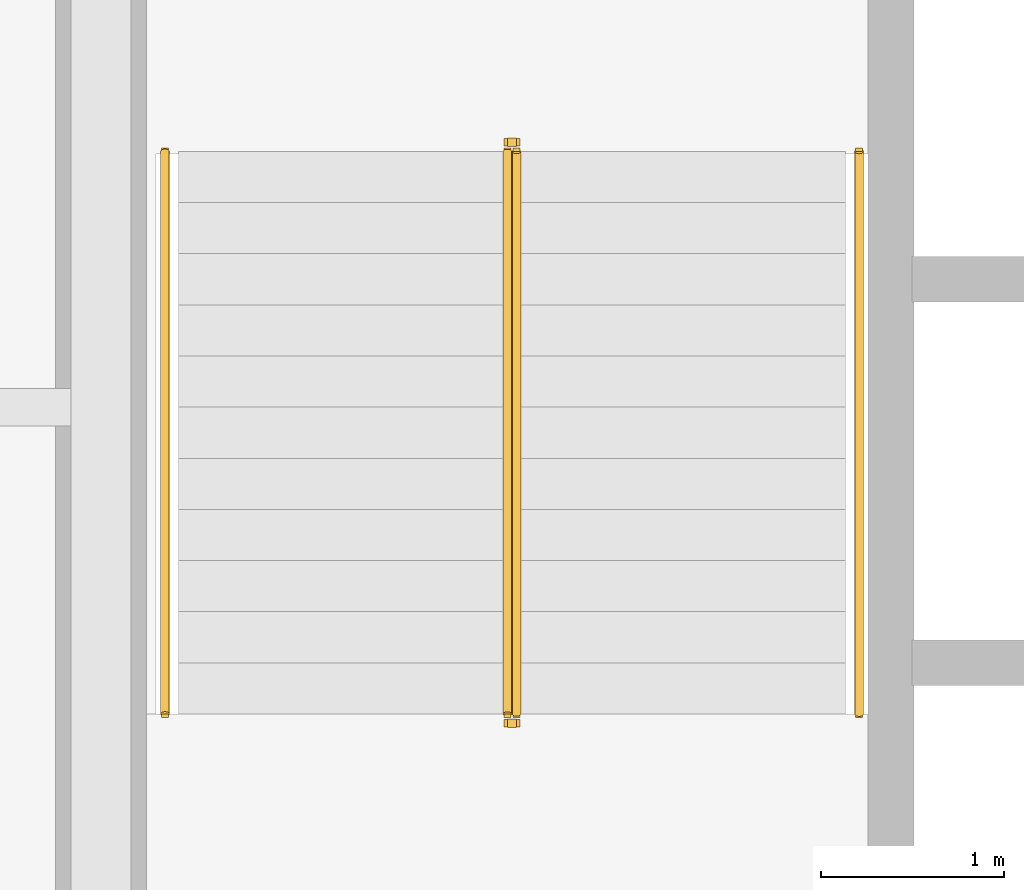
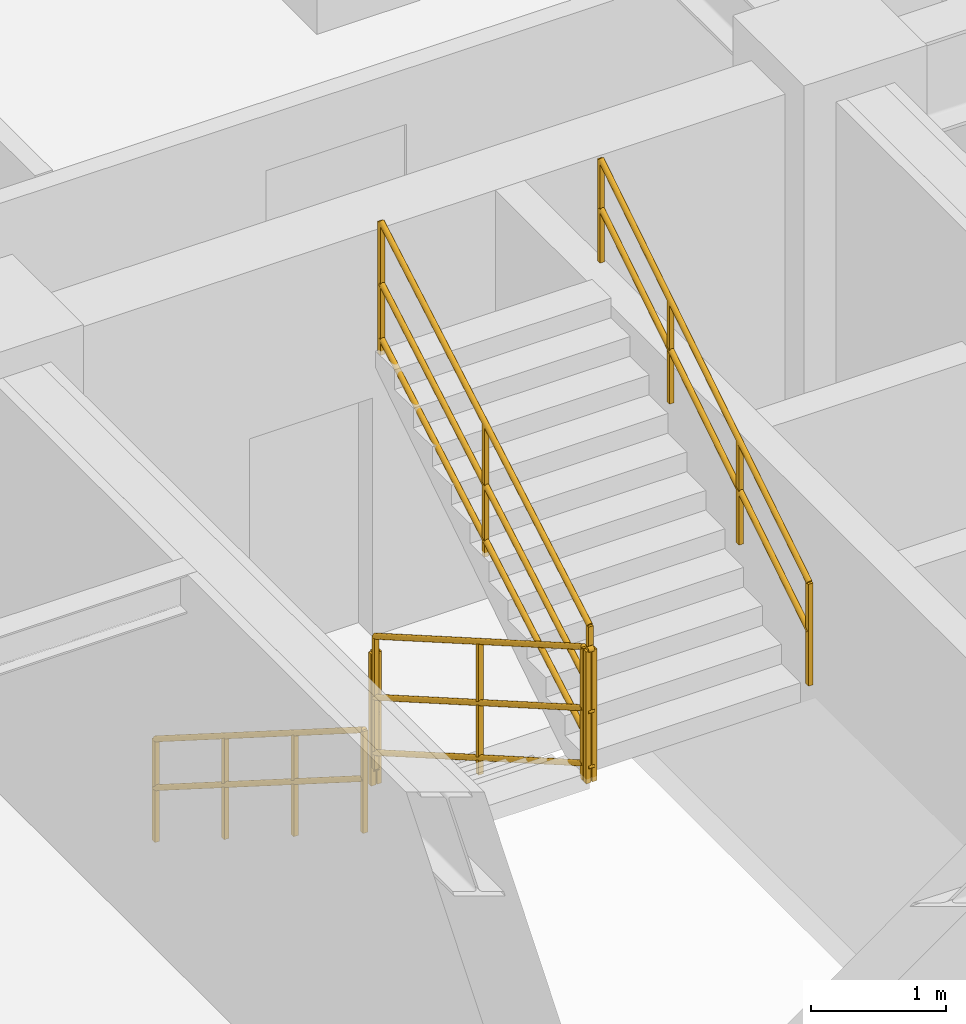
# One storey, part 9 of 9: 6 railings.
"""IFC4 building model written with IfcOpenShell, lengths in metres."""

from ifc_helpers import new_model, entity, si_unit, converted_unit, direction, frame, origin_with_axes, origin_2d_with_axis, place, context, subcontext, project, spatial, rectangle, circle, extrude, material, type_object, element, save


model = new_model("IFC4")

# Units and contexts
model_context = context("Model", 3, precision=1e-05, world=origin_with_axes(), true_north=direction((0.0, 1.0)))
body_context = subcontext(model_context, "Body", "Model", "MODEL_VIEW")
ifc_project = project(units=[si_unit("LENGTHUNIT", "METRE"), si_unit("AREAUNIT", "SQUARE_METRE"), si_unit("VOLUMEUNIT", "CUBIC_METRE"), converted_unit("PLANEANGLEUNIT", "DEGREE", entity("IfcPlaneAngleMeasure", 0.017453292519943295), si_unit("PLANEANGLEUNIT", "RADIAN"), dimensions=[0, 0, 0, 0, 0, 0, 0]), si_unit("MASSUNIT", "GRAM", prefix="KILO"), si_unit("THERMODYNAMICTEMPERATUREUNIT", "KELVIN")], contexts=[model_context])

# Site, building, storey
site_placement = place(None, origin_with_axes())
site = spatial("IfcSite", under=ifc_project, at=site_placement, CompositionType="ELEMENT")
building_placement = place(site_placement, origin_with_axes())
building = spatial("IfcBuilding", under=site, at=building_placement, Name="Varnlund Millrace Tower", CompositionType="ELEMENT")
storey_placement = place(building_placement, frame((0.0, 0.0, 136.8), z_axis=(0.0, 0.0, 1.0), x_axis=(1.0, 0.0, 0.0)))
storey = spatial("IfcBuildingStorey", under=building, at=storey_placement, Name="L33", CompositionType="ELEMENT", Elevation=136.8)

# Railings
ifc_material_1 = material(Name="Painted steel stair well balustrade guard", Category="steel")
railing_type_1 = type_object("IfcRailingType", Name="Type-StairGuard-1150", PredefinedType="GUARDRAIL", material=ifc_material_1)
railing_1_placement = place(storey_placement, frame((0.0, 0.0, -136.8), z_axis=(0.0, 0.0, 1.0), x_axis=(1.0, 0.0, 0.0)))
element("IfcRailing", 1, at=railing_1_placement, inside=storey, type_object=railing_type_1, Name="Type-StairGuard-1150", PredefinedType="GUARDRAIL", context=body_context, shape_type="SweptSolid", body=[
    extrude(circle(Radius=0.024, at=origin_2d_with_axis()), frame((13.625, 35.9, 138.127273), z_axis=(0.0, -0.866696, 0.498836), x_axis=(1.0, 0.0, 0.0)), (0.0, 0.0, 1.0), 3.553725),
    extrude(circle(Radius=0.024, at=origin_2d_with_axis()), frame((13.625, 35.9, 137.077273), z_axis=(0.0, -0.866696, 0.498836), x_axis=(1.0, 0.0, 0.0)), (0.0, 0.0, 1.0), 3.553725),
    extrude(circle(Radius=0.024, at=origin_2d_with_axis()), frame((13.625, 35.9, 137.575273), z_axis=(0.0, -0.866696, 0.498836), x_axis=(1.0, 0.0, 0.0)), (0.0, 0.0, 1.0), 3.553725),
    extrude(rectangle(XDim=0.04, YDim=0.04, at=origin_2d_with_axis()), frame((13.625, 35.9, 136.937273), z_axis=(0.0, 0.0, 1.0), x_axis=(1.0, 0.0, 0.0)), (0.0, 0.0, 1.0), 1.19),
    extrude(rectangle(XDim=0.04, YDim=0.04, at=origin_2d_with_axis()), frame((13.625, 34.36, 137.823636), z_axis=(0.0, 0.0, 1.0), x_axis=(1.0, 0.0, 0.0)), (0.0, 0.0, 1.0), 1.19),
    extrude(rectangle(XDim=0.04, YDim=0.04, at=origin_2d_with_axis()), frame((13.625, 32.82, 138.71), z_axis=(0.0, 0.0, 1.0), x_axis=(1.0, 0.0, 0.0)), (0.0, 0.0, 1.0), 1.19),
])
railing_2_placement = place(storey_placement, frame((0.0, 0.0, -136.8), z_axis=(0.0, 0.0, 1.0), x_axis=(1.0, 0.0, 0.0)))
element("IfcRailing", 2, at=railing_2_placement, inside=storey, type_object=railing_type_1, Name="Type-StairGuard-1150", PredefinedType="GUARDRAIL", context=body_context, shape_type="SweptSolid", body=[
    extrude(circle(Radius=0.024, at=origin_2d_with_axis()), frame((13.675, 32.77, 139.9), z_axis=(-1.0, 0.0, 0.0), x_axis=(0.0, -1.0, 0.0)), (0.0, 0.0, 1.0), 0.05),
    extrude(circle(Radius=0.024, at=origin_2d_with_axis()), frame((13.675, 32.77, 138.85), z_axis=(-1.0, 0.0, 0.0), x_axis=(0.0, -1.0, 0.0)), (0.0, 0.0, 1.0), 0.05),
    extrude(circle(Radius=0.024, at=origin_2d_with_axis()), frame((13.675, 32.77, 139.348), z_axis=(-1.0, 0.0, 0.0), x_axis=(0.0, -1.0, 0.0)), (0.0, 0.0, 1.0), 0.05),
    extrude(rectangle(XDim=0.04, YDim=0.04, at=origin_2d_with_axis()), frame((13.675, 32.77, 138.71), z_axis=(0.0, 0.0, 1.0), x_axis=(1.0, 0.0, 0.0)), (0.0, 0.0, 1.0), 1.19),
    extrude(rectangle(XDim=0.04, YDim=0.04, at=origin_2d_with_axis()), frame((13.625, 32.77, 138.71), z_axis=(0.0, 0.0, 1.0), x_axis=(1.0, 0.0, 0.0)), (0.0, 0.0, 1.0), 1.19),
])
railing_3_placement = place(storey_placement, frame((0.0, 0.0, -136.8), z_axis=(0.0, 0.0, 1.0), x_axis=(1.0, 0.0, 0.0)))
element("IfcRailing", 3, at=railing_3_placement, inside=storey, type_object=railing_type_1, Name="Type-StairGuard-1150", PredefinedType="GUARDRAIL", context=body_context, shape_type="SweptSolid", body=[
    extrude(circle(Radius=0.024, at=origin_2d_with_axis()), frame((13.675, 32.82, 140.077273), z_axis=(0.0, 0.866696, 0.498836), x_axis=(-1.0, 0.0, 0.0)), (0.0, 0.0, 1.0), 3.553725),
    extrude(circle(Radius=0.024, at=origin_2d_with_axis()), frame((13.675, 32.82, 139.027273), z_axis=(0.0, 0.866696, 0.498836), x_axis=(-1.0, 0.0, 0.0)), (0.0, 0.0, 1.0), 3.553725),
    extrude(circle(Radius=0.024, at=origin_2d_with_axis()), frame((13.675, 32.82, 139.525273), z_axis=(0.0, 0.866696, 0.498836), x_axis=(-1.0, 0.0, 0.0)), (0.0, 0.0, 1.0), 3.553725),
    extrude(rectangle(XDim=0.04, YDim=0.04, at=origin_2d_with_axis()), frame((13.675, 32.82, 138.887273), z_axis=(0.0, 0.0, 1.0), x_axis=(1.0, 0.0, 0.0)), (0.0, 0.0, 1.0), 1.19),
    extrude(rectangle(XDim=0.04, YDim=0.04, at=origin_2d_with_axis()), frame((13.675, 34.36, 139.773637), z_axis=(0.0, 0.0, 1.0), x_axis=(1.0, 0.0, 0.0)), (0.0, 0.0, 1.0), 1.19),
    extrude(rectangle(XDim=0.04, YDim=0.04, at=origin_2d_with_axis()), frame((13.675, 35.9, 140.66), z_axis=(0.0, 0.0, 1.0), x_axis=(1.0, 0.0, 0.0)), (0.0, 0.0, 1.0), 1.19),
])
railing_4_placement = place(storey_placement, frame((0.0, 0.0, -136.8), z_axis=(0.0, 0.0, 1.0), x_axis=(1.0, 0.0, 0.0)))
element("IfcRailing", 4, at=railing_4_placement, inside=storey, type_object=railing_type_1, Name="Type-StairGuard-1150", PredefinedType="GUARDRAIL", context=body_context, shape_type="SweptSolid", body=[
    extrude(circle(Radius=0.024, at=origin_2d_with_axis()), frame((13.675, 35.95, 137.95), z_axis=(-1.0, 0.0, 0.0), x_axis=(0.0, -1.0, 0.0)), (0.0, 0.0, 1.0), 0.05),
    extrude(circle(Radius=0.024, at=origin_2d_with_axis()), frame((13.675, 35.95, 136.9), z_axis=(-1.0, 0.0, 0.0), x_axis=(0.0, -1.0, 0.0)), (0.0, 0.0, 1.0), 0.05),
    extrude(circle(Radius=0.024, at=origin_2d_with_axis()), frame((13.675, 35.95, 137.398), z_axis=(-1.0, 0.0, 0.0), x_axis=(0.0, -1.0, 0.0)), (0.0, 0.0, 1.0), 0.05),
    extrude(rectangle(XDim=0.04, YDim=0.04, at=origin_2d_with_axis()), frame((13.675, 35.95, 136.76), z_axis=(0.0, 0.0, 1.0), x_axis=(1.0, 0.0, 0.0)), (0.0, 0.0, 1.0), 1.19),
    extrude(rectangle(XDim=0.04, YDim=0.04, at=origin_2d_with_axis()), frame((13.625, 35.95, 136.76), z_axis=(0.0, 0.0, 1.0), x_axis=(1.0, 0.0, 0.0)), (0.0, 0.0, 1.0), 1.19),
])
ifc_material_2 = material(Name="Brushed architectural bronze stair handrail", Category="aluminium")
railing_type_2 = type_object("IfcRailingType", Name="Type-StairHandrail-900", PredefinedType="HANDRAIL", material=ifc_material_2)
railing_5_placement = place(storey_placement, frame((0.0, 0.0, -136.8), z_axis=(0.0, 0.0, 1.0), x_axis=(1.0, 0.0, 0.0)))
element("IfcRailing", 5, at=railing_5_placement, inside=storey, type_object=railing_type_2, Name="Type-StairHandrail-900", PredefinedType="HANDRAIL", context=body_context, shape_type="SweptSolid", body=[
    extrude(circle(Radius=0.024, at=origin_2d_with_axis()), frame((11.75, 35.9, 137.856995), z_axis=(0.0, -0.844902, 0.534922), x_axis=(1.0, 0.0, 0.0)), (0.0, 0.0, 1.0), 3.645394),
    extrude(circle(Radius=0.024, at=origin_2d_with_axis()), frame((11.75, 35.9, 137.417134), z_axis=(0.0, -0.844902, 0.534922), x_axis=(1.0, 0.0, 0.0)), (0.0, 0.0, 1.0), 3.645394),
    extrude(rectangle(XDim=0.04, YDim=0.04, at=origin_2d_with_axis()), frame((11.75, 35.9, 136.937273), z_axis=(0.0, 0.0, 1.0), x_axis=(1.0, 0.0, 0.0)), (0.0, 0.0, 1.0), 0.919722),
    extrude(rectangle(XDim=0.04, YDim=0.04, at=origin_2d_with_axis()), frame((11.75, 34.873333, 137.587273), z_axis=(0.0, 0.0, 1.0), x_axis=(1.0, 0.0, 0.0)), (0.0, 0.0, 1.0), 0.919722),
    extrude(rectangle(XDim=0.04, YDim=0.04, at=origin_2d_with_axis()), frame((11.75, 33.846667, 138.237273), z_axis=(0.0, 0.0, 1.0), x_axis=(1.0, 0.0, 0.0)), (0.0, 0.0, 1.0), 0.919722),
    extrude(rectangle(XDim=0.04, YDim=0.04, at=origin_2d_with_axis()), frame((11.75, 32.82, 138.887273), z_axis=(0.0, 0.0, 1.0), x_axis=(1.0, 0.0, 0.0)), (0.0, 0.0, 1.0), 0.919722),
])
railing_6_placement = place(storey_placement, frame((0.0, 0.0, -136.8), z_axis=(0.0, 0.0, 1.0), x_axis=(1.0, 0.0, 0.0)))
element("IfcRailing", 6, at=railing_6_placement, inside=storey, type_object=railing_type_2, Name="Type-StairHandrail-900", PredefinedType="HANDRAIL", context=body_context, shape_type="SweptSolid", body=[
    extrude(circle(Radius=0.024, at=origin_2d_with_axis()), frame((15.55, 32.82, 139.806995), z_axis=(0.0, 0.844902, 0.534922), x_axis=(-1.0, 0.0, 0.0)), (0.0, 0.0, 1.0), 3.645394),
    extrude(circle(Radius=0.024, at=origin_2d_with_axis()), frame((15.55, 32.82, 139.367134), z_axis=(0.0, 0.844902, 0.534922), x_axis=(-1.0, 0.0, 0.0)), (0.0, 0.0, 1.0), 3.645394),
    extrude(rectangle(XDim=0.04, YDim=0.04, at=origin_2d_with_axis()), frame((15.55, 32.82, 138.887273), z_axis=(0.0, 0.0, 1.0), x_axis=(1.0, 0.0, 0.0)), (0.0, 0.0, 1.0), 0.919722),
    extrude(rectangle(XDim=0.04, YDim=0.04, at=origin_2d_with_axis()), frame((15.55, 33.846667, 139.537273), z_axis=(0.0, 0.0, 1.0), x_axis=(1.0, 0.0, 0.0)), (0.0, 0.0, 1.0), 0.919722),
    extrude(rectangle(XDim=0.04, YDim=0.04, at=origin_2d_with_axis()), frame((15.55, 34.873333, 140.187273), z_axis=(0.0, 0.0, 1.0), x_axis=(1.0, 0.0, 0.0)), (0.0, 0.0, 1.0), 0.919722),
    extrude(rectangle(XDim=0.04, YDim=0.04, at=origin_2d_with_axis()), frame((15.55, 35.9, 140.837273), z_axis=(0.0, 0.0, 1.0), x_axis=(1.0, 0.0, 0.0)), (0.0, 0.0, 1.0), 0.919722),
])

save(model, "model.ifc")
